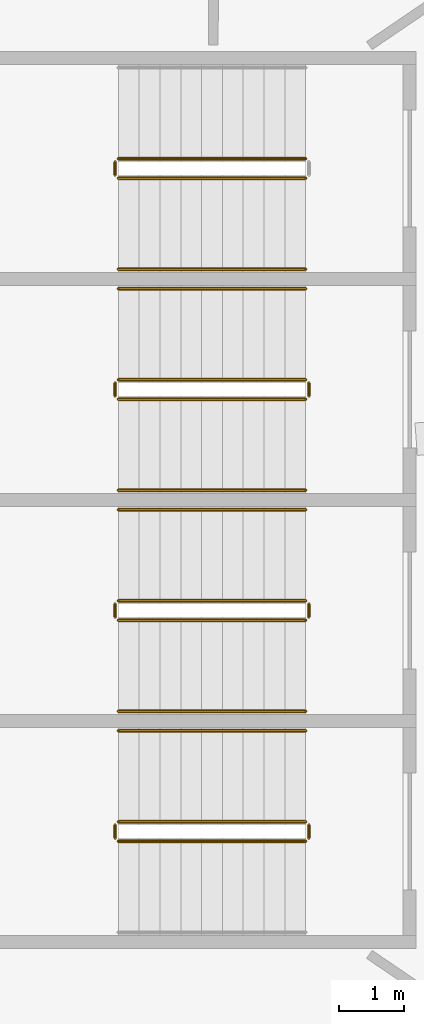
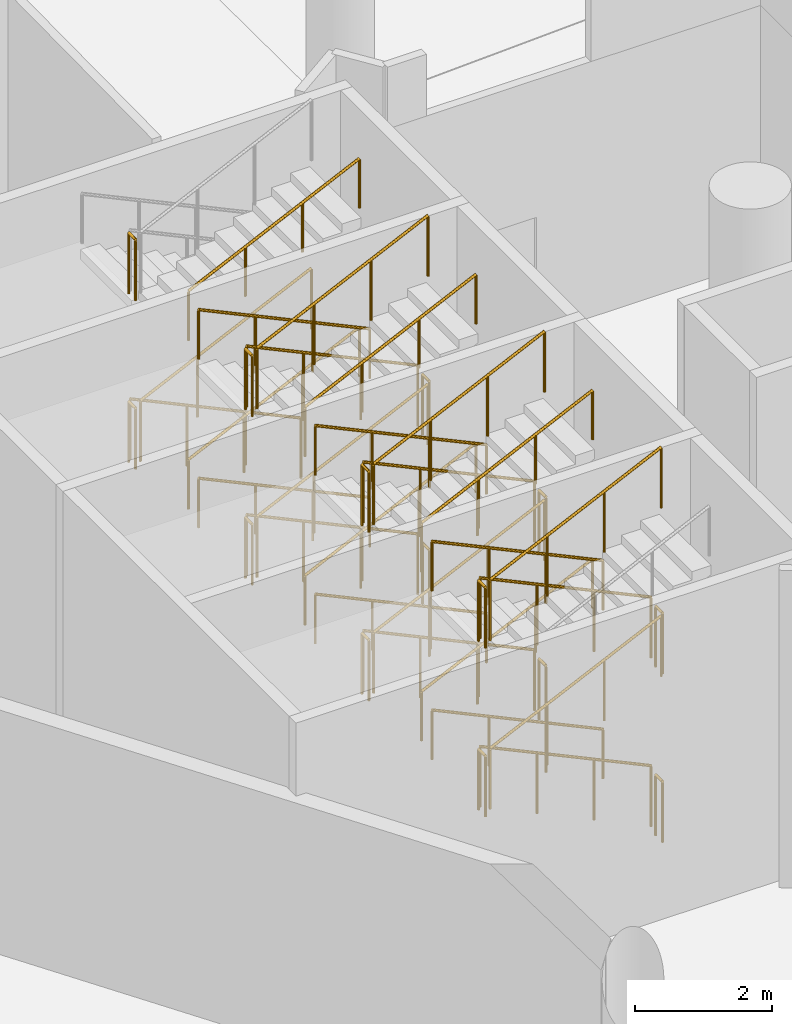
# One storey, part 209 of 249: 40 railings.
"""IFC4 building model written with IfcOpenShell, lengths in metres."""

from ifc_helpers import new_model, si_unit, direction, frame, origin, origin_2d, place, context, subcontext, project, spatial, circle, extrude, material, type_object, element, save


model = new_model("IFC4")

# Units and contexts
model_context = context("Model", 3, precision=1e-05, world=origin(), true_north=direction((0.0, 1.0)))
body_context = subcontext(model_context, "Body", "Model", "MODEL_VIEW")
ifc_project = project(units=[si_unit("LENGTHUNIT", "METRE"), si_unit("AREAUNIT", "SQUARE_METRE"), si_unit("VOLUMEUNIT", "CUBIC_METRE"), si_unit("PLANEANGLEUNIT", "RADIAN"), si_unit("MASSUNIT", "GRAM", prefix="KILO")], contexts=[model_context])

# Site, building, storey
site_placement = place(None, origin())
site = spatial("IfcSite", under=ifc_project, at=site_placement, CompositionType="ELEMENT")
building_placement = place(site_placement, origin())
building = spatial("IfcBuilding", under=site, at=building_placement, Name="Meseta Stadium", CompositionType="ELEMENT")
storey_placement = place(building_placement, frame((0.0, 0.0, 12.0)))
storey = spatial("IfcBuildingStorey", under=building, at=storey_placement, Name="L02", CompositionType="ELEMENT", Elevation=12.0)

# Railings
ifc_material_1 = material(Name="Steel S355", Category="steel")
railing_type_1 = type_object("IfcRailingType", Name="Stair guard 1100", PredefinedType="GUARDRAIL", material=ifc_material_1)
railing_1_placement = place(storey_placement, frame((-90.10009765625, -38.5, 0.14990234375)))
element("IfcRailing", 1, at=railing_1_placement, inside=storey, type_object=railing_type_1, Name="ST73 L02 guard 1", PredefinedType="GUARDRAIL", context=body_context, shape_type="SweptSolid", body=[
    extrude(circle(Radius=0.02392578125, at=origin_2d()), frame((0.0, 0.0, 1.076171875), z_axis=(-0.905440498372, 0.0, 0.424473207528), x_axis=(0.0, -1.0, 0.0)), (0.0, 0.0, 1.0), 3.1806640625),
    extrude(circle(Radius=0.02099609375, at=origin_2d()), origin(), (0.0, 0.0, 1.0), 1.052001953125),
    extrude(circle(Radius=0.02099609375, at=origin_2d()), frame((-0.9599609375, 0.0, 0.449951171875)), (0.0, 0.0, 1.0), 1.052001953125),
    extrude(circle(Radius=0.02099609375, at=origin_2d()), frame((-1.919921875, 0.0, 0.900146484375)), (0.0, 0.0, 1.0), 1.052001953125),
    extrude(circle(Radius=0.02099609375, at=origin_2d()), frame((-2.8798828125, 0.0, 1.35009765625)), (0.0, 0.0, 1.0), 1.052001953125),
])
railing_2_placement = place(storey_placement, frame((-93.030029296875, -38.550048828125, 1.5)))
element("IfcRailing", 2, at=railing_2_placement, inside=storey, type_object=railing_type_1, Name="ST73 L02 guard 2", PredefinedType="GUARDRAIL", context=body_context, shape_type="SweptSolid", body=[
    extrude(circle(Radius=0.02392578125, at=origin_2d()), frame((0.0, 0.0, 1.076171875), z_axis=(0.0, -1.0, 0.0), x_axis=(1.0, 0.0, 0.0)), (0.0, 0.0, 1.0), 0.199951171875),
    extrude(circle(Radius=0.02099609375, at=origin_2d()), origin(), (0.0, 0.0, 1.0), 1.052001953125),
    extrude(circle(Radius=0.02099609375, at=origin_2d()), frame((0.0, -0.199951171875, 0.0)), (0.0, 0.0, 1.0), 1.052001953125),
])
railing_3_placement = place(storey_placement, frame((-92.97998046875, -38.800048828125, 1.64990234375)))
element("IfcRailing", 3, at=railing_3_placement, inside=storey, type_object=railing_type_1, Name="ST73 L02 guard 3", PredefinedType="GUARDRAIL", context=body_context, shape_type="SweptSolid", body=[
    extrude(circle(Radius=0.02392578125, at=origin_2d()), frame((0.0, 0.0, 1.076171875), z_axis=(0.905440498372, 0.0, 0.424473207528), x_axis=(0.0, 1.0, 0.0)), (0.0, 0.0, 1.0), 3.1806640625),
    extrude(circle(Radius=0.02099609375, at=origin_2d()), origin(), (0.0, 0.0, 1.0), 1.052001953125),
    extrude(circle(Radius=0.02099609375, at=origin_2d()), frame((0.9599609375, 0.0, 0.449951171875)), (0.0, 0.0, 1.0), 1.052001953125),
    extrude(circle(Radius=0.02099609375, at=origin_2d()), frame((1.919921875, 0.0, 0.900146484375)), (0.0, 0.0, 1.0), 1.052001953125),
    extrude(circle(Radius=0.02099609375, at=origin_2d()), frame((2.8798828125, 0.0, 1.35009765625)), (0.0, 0.0, 1.0), 1.052001953125),
])
railing_4_placement = place(storey_placement, frame((-93.030029296875, -38.550048828125, 4.5)))
element("IfcRailing", 4, at=railing_4_placement, inside=storey, type_object=railing_type_1, Name="ST73 L02 guard 6", PredefinedType="GUARDRAIL", context=body_context, shape_type="SweptSolid", body=[
    extrude(circle(Radius=0.02392578125, at=origin_2d()), frame((0.0, 0.0, 1.076171875), z_axis=(0.0, -1.0, 0.0), x_axis=(1.0, 0.0, 0.0)), (0.0, 0.0, 1.0), 0.199951171875),
    extrude(circle(Radius=0.02099609375, at=origin_2d()), origin(), (0.0, 0.0, 1.0), 1.052001953125),
    extrude(circle(Radius=0.02099609375, at=origin_2d()), frame((0.0, -0.199951171875, 0.0)), (0.0, 0.0, 1.0), 1.052001953125),
])
railing_5_placement = place(storey_placement, frame((-90.10009765625, -41.89990234375, 0.14990234375)))
element("IfcRailing", 5, at=railing_5_placement, inside=storey, type_object=railing_type_1, Name="ST74 L02 guard 1", PredefinedType="GUARDRAIL", context=body_context, shape_type="SweptSolid", body=[
    extrude(circle(Radius=0.02392578125, at=origin_2d()), frame((0.0, 0.0, 1.076171875), z_axis=(-0.905440498372, 0.0, 0.424473207528), x_axis=(0.0, -1.0, 0.0)), (0.0, 0.0, 1.0), 3.1806640625),
    extrude(circle(Radius=0.02099609375, at=origin_2d()), origin(), (0.0, 0.0, 1.0), 1.052001953125),
    extrude(circle(Radius=0.02099609375, at=origin_2d()), frame((-0.9599609375, 0.0, 0.449951171875)), (0.0, 0.0, 1.0), 1.052001953125),
    extrude(circle(Radius=0.02099609375, at=origin_2d()), frame((-1.919921875, 0.0, 0.900146484375)), (0.0, 0.0, 1.0), 1.052001953125),
    extrude(circle(Radius=0.02099609375, at=origin_2d()), frame((-2.8798828125, 0.0, 1.35009765625)), (0.0, 0.0, 1.0), 1.052001953125),
])
railing_6_placement = place(storey_placement, frame((-93.030029296875, -41.949951171875, 1.5)))
element("IfcRailing", 6, at=railing_6_placement, inside=storey, type_object=railing_type_1, Name="ST74 L02 guard 2", PredefinedType="GUARDRAIL", context=body_context, shape_type="SweptSolid", body=[
    extrude(circle(Radius=0.02392578125, at=origin_2d()), frame((0.0, 0.0, 1.076171875), z_axis=(0.0, -1.0, 0.0), x_axis=(1.0, 0.0, 0.0)), (0.0, 0.0, 1.0), 0.199951171875),
    extrude(circle(Radius=0.02099609375, at=origin_2d()), origin(), (0.0, 0.0, 1.0), 1.052001953125),
    extrude(circle(Radius=0.02099609375, at=origin_2d()), frame((0.0, -0.199951171875, 0.0)), (0.0, 0.0, 1.0), 1.052001953125),
])
railing_7_placement = place(storey_placement, frame((-92.97998046875, -42.199951171875, 1.64990234375)))
element("IfcRailing", 7, at=railing_7_placement, inside=storey, type_object=railing_type_1, Name="ST74 L02 guard 3", PredefinedType="GUARDRAIL", context=body_context, shape_type="SweptSolid", body=[
    extrude(circle(Radius=0.02392578125, at=origin_2d()), frame((0.0, 0.0, 1.076171875), z_axis=(0.905440498372, 0.0, 0.424473207528), x_axis=(0.0, 1.0, 0.0)), (0.0, 0.0, 1.0), 3.1806640625),
    extrude(circle(Radius=0.02099609375, at=origin_2d()), origin(), (0.0, 0.0, 1.0), 1.052001953125),
    extrude(circle(Radius=0.02099609375, at=origin_2d()), frame((0.9599609375, 0.0, 0.449951171875)), (0.0, 0.0, 1.0), 1.052001953125),
    extrude(circle(Radius=0.02099609375, at=origin_2d()), frame((1.919921875, 0.0, 0.900146484375)), (0.0, 0.0, 1.0), 1.052001953125),
    extrude(circle(Radius=0.02099609375, at=origin_2d()), frame((2.8798828125, 0.0, 1.35009765625)), (0.0, 0.0, 1.0), 1.052001953125),
])
railing_8_placement = place(storey_placement, frame((-90.050048828125, -41.949951171875, 3.0)))
element("IfcRailing", 8, at=railing_8_placement, inside=storey, type_object=railing_type_1, Name="ST74 L02 guard 4", PredefinedType="GUARDRAIL", context=body_context, shape_type="SweptSolid", body=[
    extrude(circle(Radius=0.02392578125, at=origin_2d()), frame((0.0, 0.0, 1.076171875), z_axis=(0.0, -1.0, 0.0), x_axis=(1.0, 0.0, 0.0)), (0.0, 0.0, 1.0), 0.199951171875),
    extrude(circle(Radius=0.02099609375, at=origin_2d()), origin(), (0.0, 0.0, 1.0), 1.052001953125),
    extrude(circle(Radius=0.02099609375, at=origin_2d()), frame((0.0, -0.199951171875, 0.0)), (0.0, 0.0, 1.0), 1.052001953125),
])
railing_9_placement = place(storey_placement, frame((-90.10009765625, -41.89990234375, 3.14990234375)))
element("IfcRailing", 9, at=railing_9_placement, inside=storey, type_object=railing_type_1, Name="ST74 L02 guard 5", PredefinedType="GUARDRAIL", context=body_context, shape_type="SweptSolid", body=[
    extrude(circle(Radius=0.02392578125, at=origin_2d()), frame((0.0, 0.0, 1.076171875), z_axis=(-0.905440498372, 0.0, 0.424473207528), x_axis=(0.0, -1.0, 0.0)), (0.0, 0.0, 1.0), 3.1806640625),
    extrude(circle(Radius=0.02099609375, at=origin_2d()), origin(), (0.0, 0.0, 1.0), 1.052001953125),
    extrude(circle(Radius=0.02099609375, at=origin_2d()), frame((-0.9599609375, 0.0, 0.449951171875)), (0.0, 0.0, 1.0), 1.052001953125),
    extrude(circle(Radius=0.02099609375, at=origin_2d()), frame((-1.919921875, 0.0, 0.900146484375)), (0.0, 0.0, 1.0), 1.052001953125),
    extrude(circle(Radius=0.02099609375, at=origin_2d()), frame((-2.8798828125, 0.0, 1.35009765625)), (0.0, 0.0, 1.0), 1.052001953125),
])
railing_10_placement = place(storey_placement, frame((-93.030029296875, -41.949951171875, 4.5)))
element("IfcRailing", 10, at=railing_10_placement, inside=storey, type_object=railing_type_1, Name="ST74 L02 guard 6", PredefinedType="GUARDRAIL", context=body_context, shape_type="SweptSolid", body=[
    extrude(circle(Radius=0.02392578125, at=origin_2d()), frame((0.0, 0.0, 1.076171875), z_axis=(0.0, -1.0, 0.0), x_axis=(1.0, 0.0, 0.0)), (0.0, 0.0, 1.0), 0.199951171875),
    extrude(circle(Radius=0.02099609375, at=origin_2d()), origin(), (0.0, 0.0, 1.0), 1.052001953125),
    extrude(circle(Radius=0.02099609375, at=origin_2d()), frame((0.0, -0.199951171875, 0.0)), (0.0, 0.0, 1.0), 1.052001953125),
])
railing_11_placement = place(storey_placement, frame((-92.97998046875, -42.199951171875, 4.64990234375)))
element("IfcRailing", 11, at=railing_11_placement, inside=storey, type_object=railing_type_1, Name="ST74 L02 guard 7", PredefinedType="GUARDRAIL", context=body_context, shape_type="SweptSolid", body=[
    extrude(circle(Radius=0.02392578125, at=origin_2d()), frame((0.0, 0.0, 1.076171875), z_axis=(0.905440498372, 0.0, 0.424473207528), x_axis=(0.0, 1.0, 0.0)), (0.0, 0.0, 1.0), 3.1806640625),
    extrude(circle(Radius=0.02099609375, at=origin_2d()), origin(), (0.0, 0.0, 1.0), 1.052001953125),
    extrude(circle(Radius=0.02099609375, at=origin_2d()), frame((0.9599609375, 0.0, 0.449951171875)), (0.0, 0.0, 1.0), 1.052001953125),
    extrude(circle(Radius=0.02099609375, at=origin_2d()), frame((1.919921875, 0.0, 0.900146484375)), (0.0, 0.0, 1.0), 1.052001953125),
    extrude(circle(Radius=0.02099609375, at=origin_2d()), frame((2.8798828125, 0.0, 1.35009765625)), (0.0, 0.0, 1.0), 1.052001953125),
])
railing_12_placement = place(storey_placement, frame((-90.050048828125, -41.949951171875, 0.0)))
element("IfcRailing", 12, at=railing_12_placement, inside=storey, type_object=railing_type_1, Name="ST74 L02 guard 8", PredefinedType="GUARDRAIL", context=body_context, shape_type="SweptSolid", body=[
    extrude(circle(Radius=0.02392578125, at=origin_2d()), frame((0.0, 0.0, 1.076171875), z_axis=(0.0, -1.0, 0.0), x_axis=(1.0, 0.0, 0.0)), (0.0, 0.0, 1.0), 0.199951171875),
    extrude(circle(Radius=0.02099609375, at=origin_2d()), origin(), (0.0, 0.0, 1.0), 1.052001953125),
    extrude(circle(Radius=0.02099609375, at=origin_2d()), frame((0.0, -0.199951171875, 0.0)), (0.0, 0.0, 1.0), 1.052001953125),
])
railing_13_placement = place(storey_placement, frame((-90.10009765625, -45.300048828125, 0.14990234375)))
element("IfcRailing", 13, at=railing_13_placement, inside=storey, type_object=railing_type_1, Name="ST75 L02 guard 1", PredefinedType="GUARDRAIL", context=body_context, shape_type="SweptSolid", body=[
    extrude(circle(Radius=0.02392578125, at=origin_2d()), frame((0.0, 0.0, 1.076171875), z_axis=(-0.905440498372, 0.0, 0.424473207528), x_axis=(0.0, -1.0, 0.0)), (0.0, 0.0, 1.0), 3.1806640625),
    extrude(circle(Radius=0.02099609375, at=origin_2d()), origin(), (0.0, 0.0, 1.0), 1.052001953125),
    extrude(circle(Radius=0.02099609375, at=origin_2d()), frame((-0.9599609375, 0.0, 0.449951171875)), (0.0, 0.0, 1.0), 1.052001953125),
    extrude(circle(Radius=0.02099609375, at=origin_2d()), frame((-1.919921875, 0.0, 0.900146484375)), (0.0, 0.0, 1.0), 1.052001953125),
    extrude(circle(Radius=0.02099609375, at=origin_2d()), frame((-2.8798828125, 0.0, 1.35009765625)), (0.0, 0.0, 1.0), 1.052001953125),
])
railing_14_placement = place(storey_placement, frame((-93.030029296875, -45.35009765625, 1.5)))
element("IfcRailing", 14, at=railing_14_placement, inside=storey, type_object=railing_type_1, Name="ST75 L02 guard 2", PredefinedType="GUARDRAIL", context=body_context, shape_type="SweptSolid", body=[
    extrude(circle(Radius=0.02392578125, at=origin_2d()), frame((0.0, 0.0, 1.076171875), z_axis=(0.0, -1.0, 0.0), x_axis=(1.0, 0.0, 0.0)), (0.0, 0.0, 1.0), 0.199951171875),
    extrude(circle(Radius=0.02099609375, at=origin_2d()), origin(), (0.0, 0.0, 1.0), 1.052001953125),
    extrude(circle(Radius=0.02099609375, at=origin_2d()), frame((0.0, -0.199951171875, 0.0)), (0.0, 0.0, 1.0), 1.052001953125),
])
railing_15_placement = place(storey_placement, frame((-92.97998046875, -45.60009765625, 1.64990234375)))
element("IfcRailing", 15, at=railing_15_placement, inside=storey, type_object=railing_type_1, Name="ST75 L02 guard 3", PredefinedType="GUARDRAIL", context=body_context, shape_type="SweptSolid", body=[
    extrude(circle(Radius=0.02392578125, at=origin_2d()), frame((0.0, 0.0, 1.076171875), z_axis=(0.905440498372, 0.0, 0.424473207528), x_axis=(0.0, 1.0, 0.0)), (0.0, 0.0, 1.0), 3.1806640625),
    extrude(circle(Radius=0.02099609375, at=origin_2d()), origin(), (0.0, 0.0, 1.0), 1.052001953125),
    extrude(circle(Radius=0.02099609375, at=origin_2d()), frame((0.9599609375, 0.0, 0.449951171875)), (0.0, 0.0, 1.0), 1.052001953125),
    extrude(circle(Radius=0.02099609375, at=origin_2d()), frame((1.919921875, 0.0, 0.900146484375)), (0.0, 0.0, 1.0), 1.052001953125),
    extrude(circle(Radius=0.02099609375, at=origin_2d()), frame((2.8798828125, 0.0, 1.35009765625)), (0.0, 0.0, 1.0), 1.052001953125),
])
railing_16_placement = place(storey_placement, frame((-90.050048828125, -45.35009765625, 3.0)))
element("IfcRailing", 16, at=railing_16_placement, inside=storey, type_object=railing_type_1, Name="ST75 L02 guard 4", PredefinedType="GUARDRAIL", context=body_context, shape_type="SweptSolid", body=[
    extrude(circle(Radius=0.02392578125, at=origin_2d()), frame((0.0, 0.0, 1.076171875), z_axis=(0.0, -1.0, 0.0), x_axis=(1.0, 0.0, 0.0)), (0.0, 0.0, 1.0), 0.199951171875),
    extrude(circle(Radius=0.02099609375, at=origin_2d()), origin(), (0.0, 0.0, 1.0), 1.052001953125),
    extrude(circle(Radius=0.02099609375, at=origin_2d()), frame((0.0, -0.199951171875, 0.0)), (0.0, 0.0, 1.0), 1.052001953125),
])
railing_17_placement = place(storey_placement, frame((-90.10009765625, -45.300048828125, 3.14990234375)))
element("IfcRailing", 17, at=railing_17_placement, inside=storey, type_object=railing_type_1, Name="ST75 L02 guard 5", PredefinedType="GUARDRAIL", context=body_context, shape_type="SweptSolid", body=[
    extrude(circle(Radius=0.02392578125, at=origin_2d()), frame((0.0, 0.0, 1.076171875), z_axis=(-0.905440498372, 0.0, 0.424473207528), x_axis=(0.0, -1.0, 0.0)), (0.0, 0.0, 1.0), 3.1806640625),
    extrude(circle(Radius=0.02099609375, at=origin_2d()), origin(), (0.0, 0.0, 1.0), 1.052001953125),
    extrude(circle(Radius=0.02099609375, at=origin_2d()), frame((-0.9599609375, 0.0, 0.449951171875)), (0.0, 0.0, 1.0), 1.052001953125),
    extrude(circle(Radius=0.02099609375, at=origin_2d()), frame((-1.919921875, 0.0, 0.900146484375)), (0.0, 0.0, 1.0), 1.052001953125),
    extrude(circle(Radius=0.02099609375, at=origin_2d()), frame((-2.8798828125, 0.0, 1.35009765625)), (0.0, 0.0, 1.0), 1.052001953125),
])
railing_18_placement = place(storey_placement, frame((-93.030029296875, -45.35009765625, 4.5)))
element("IfcRailing", 18, at=railing_18_placement, inside=storey, type_object=railing_type_1, Name="ST75 L02 guard 6", PredefinedType="GUARDRAIL", context=body_context, shape_type="SweptSolid", body=[
    extrude(circle(Radius=0.02392578125, at=origin_2d()), frame((0.0, 0.0, 1.076171875), z_axis=(0.0, -1.0, 0.0), x_axis=(1.0, 0.0, 0.0)), (0.0, 0.0, 1.0), 0.199951171875),
    extrude(circle(Radius=0.02099609375, at=origin_2d()), origin(), (0.0, 0.0, 1.0), 1.052001953125),
    extrude(circle(Radius=0.02099609375, at=origin_2d()), frame((0.0, -0.199951171875, 0.0)), (0.0, 0.0, 1.0), 1.052001953125),
])
railing_19_placement = place(storey_placement, frame((-92.97998046875, -45.60009765625, 4.64990234375)))
element("IfcRailing", 19, at=railing_19_placement, inside=storey, type_object=railing_type_1, Name="ST75 L02 guard 7", PredefinedType="GUARDRAIL", context=body_context, shape_type="SweptSolid", body=[
    extrude(circle(Radius=0.02392578125, at=origin_2d()), frame((0.0, 0.0, 1.076171875), z_axis=(0.905440498372, 0.0, 0.424473207528), x_axis=(0.0, 1.0, 0.0)), (0.0, 0.0, 1.0), 3.1806640625),
    extrude(circle(Radius=0.02099609375, at=origin_2d()), origin(), (0.0, 0.0, 1.0), 1.052001953125),
    extrude(circle(Radius=0.02099609375, at=origin_2d()), frame((0.9599609375, 0.0, 0.449951171875)), (0.0, 0.0, 1.0), 1.052001953125),
    extrude(circle(Radius=0.02099609375, at=origin_2d()), frame((1.919921875, 0.0, 0.900146484375)), (0.0, 0.0, 1.0), 1.052001953125),
    extrude(circle(Radius=0.02099609375, at=origin_2d()), frame((2.8798828125, 0.0, 1.35009765625)), (0.0, 0.0, 1.0), 1.052001953125),
])
railing_20_placement = place(storey_placement, frame((-90.050048828125, -45.35009765625, 0.0)))
element("IfcRailing", 20, at=railing_20_placement, inside=storey, type_object=railing_type_1, Name="ST75 L02 guard 8", PredefinedType="GUARDRAIL", context=body_context, shape_type="SweptSolid", body=[
    extrude(circle(Radius=0.02392578125, at=origin_2d()), frame((0.0, 0.0, 1.076171875), z_axis=(0.0, -1.0, 0.0), x_axis=(1.0, 0.0, 0.0)), (0.0, 0.0, 1.0), 0.199951171875),
    extrude(circle(Radius=0.02099609375, at=origin_2d()), origin(), (0.0, 0.0, 1.0), 1.052001953125),
    extrude(circle(Radius=0.02099609375, at=origin_2d()), frame((0.0, -0.199951171875, 0.0)), (0.0, 0.0, 1.0), 1.052001953125),
])
railing_21_placement = place(storey_placement, frame((-90.10009765625, -48.699951171875, 0.14990234375)))
element("IfcRailing", 21, at=railing_21_placement, inside=storey, type_object=railing_type_1, Name="ST76 L02 guard 1", PredefinedType="GUARDRAIL", context=body_context, shape_type="SweptSolid", body=[
    extrude(circle(Radius=0.02392578125, at=origin_2d()), frame((0.0, 0.0, 1.076171875), z_axis=(-0.905440498372, 0.0, 0.424473207528), x_axis=(0.0, -1.0, 0.0)), (0.0, 0.0, 1.0), 3.1806640625),
    extrude(circle(Radius=0.02099609375, at=origin_2d()), origin(), (0.0, 0.0, 1.0), 1.052001953125),
    extrude(circle(Radius=0.02099609375, at=origin_2d()), frame((-0.9599609375, 0.0, 0.449951171875)), (0.0, 0.0, 1.0), 1.052001953125),
    extrude(circle(Radius=0.02099609375, at=origin_2d()), frame((-1.919921875, 0.0, 0.900146484375)), (0.0, 0.0, 1.0), 1.052001953125),
    extrude(circle(Radius=0.02099609375, at=origin_2d()), frame((-2.8798828125, 0.0, 1.35009765625)), (0.0, 0.0, 1.0), 1.052001953125),
])
railing_22_placement = place(storey_placement, frame((-93.030029296875, -48.75, 1.5)))
element("IfcRailing", 22, at=railing_22_placement, inside=storey, type_object=railing_type_1, Name="ST76 L02 guard 2", PredefinedType="GUARDRAIL", context=body_context, shape_type="SweptSolid", body=[
    extrude(circle(Radius=0.02392578125, at=origin_2d()), frame((0.0, 0.0, 1.076171875), z_axis=(0.0, -1.0, 0.0), x_axis=(1.0, 0.0, 0.0)), (0.0, 0.0, 1.0), 0.199951171875),
    extrude(circle(Radius=0.02099609375, at=origin_2d()), origin(), (0.0, 0.0, 1.0), 1.052001953125),
    extrude(circle(Radius=0.02099609375, at=origin_2d()), frame((0.0, -0.199951171875, 0.0)), (0.0, 0.0, 1.0), 1.052001953125),
])
railing_23_placement = place(storey_placement, frame((-92.97998046875, -49.0, 1.64990234375)))
element("IfcRailing", 23, at=railing_23_placement, inside=storey, type_object=railing_type_1, Name="ST76 L02 guard 3", PredefinedType="GUARDRAIL", context=body_context, shape_type="SweptSolid", body=[
    extrude(circle(Radius=0.02392578125, at=origin_2d()), frame((0.0, 0.0, 1.076171875), z_axis=(0.905440498372, 0.0, 0.424473207528), x_axis=(0.0, 1.0, 0.0)), (0.0, 0.0, 1.0), 3.1806640625),
    extrude(circle(Radius=0.02099609375, at=origin_2d()), origin(), (0.0, 0.0, 1.0), 1.052001953125),
    extrude(circle(Radius=0.02099609375, at=origin_2d()), frame((0.9599609375, 0.0, 0.449951171875)), (0.0, 0.0, 1.0), 1.052001953125),
    extrude(circle(Radius=0.02099609375, at=origin_2d()), frame((1.919921875, 0.0, 0.900146484375)), (0.0, 0.0, 1.0), 1.052001953125),
    extrude(circle(Radius=0.02099609375, at=origin_2d()), frame((2.8798828125, 0.0, 1.35009765625)), (0.0, 0.0, 1.0), 1.052001953125),
])
railing_24_placement = place(storey_placement, frame((-90.050048828125, -48.75, 3.0)))
element("IfcRailing", 24, at=railing_24_placement, inside=storey, type_object=railing_type_1, Name="ST76 L02 guard 4", PredefinedType="GUARDRAIL", context=body_context, shape_type="SweptSolid", body=[
    extrude(circle(Radius=0.02392578125, at=origin_2d()), frame((0.0, 0.0, 1.076171875), z_axis=(0.0, -1.0, 0.0), x_axis=(1.0, 0.0, 0.0)), (0.0, 0.0, 1.0), 0.199951171875),
    extrude(circle(Radius=0.02099609375, at=origin_2d()), origin(), (0.0, 0.0, 1.0), 1.052001953125),
    extrude(circle(Radius=0.02099609375, at=origin_2d()), frame((0.0, -0.199951171875, 0.0)), (0.0, 0.0, 1.0), 1.052001953125),
])
railing_25_placement = place(storey_placement, frame((-90.10009765625, -48.699951171875, 3.14990234375)))
element("IfcRailing", 25, at=railing_25_placement, inside=storey, type_object=railing_type_1, Name="ST76 L02 guard 5", PredefinedType="GUARDRAIL", context=body_context, shape_type="SweptSolid", body=[
    extrude(circle(Radius=0.02392578125, at=origin_2d()), frame((0.0, 0.0, 1.076171875), z_axis=(-0.905440498372, 0.0, 0.424473207528), x_axis=(0.0, -1.0, 0.0)), (0.0, 0.0, 1.0), 3.1806640625),
    extrude(circle(Radius=0.02099609375, at=origin_2d()), origin(), (0.0, 0.0, 1.0), 1.052001953125),
    extrude(circle(Radius=0.02099609375, at=origin_2d()), frame((-0.9599609375, 0.0, 0.449951171875)), (0.0, 0.0, 1.0), 1.052001953125),
    extrude(circle(Radius=0.02099609375, at=origin_2d()), frame((-1.919921875, 0.0, 0.900146484375)), (0.0, 0.0, 1.0), 1.052001953125),
    extrude(circle(Radius=0.02099609375, at=origin_2d()), frame((-2.8798828125, 0.0, 1.35009765625)), (0.0, 0.0, 1.0), 1.052001953125),
])
railing_26_placement = place(storey_placement, frame((-93.030029296875, -48.75, 4.5)))
element("IfcRailing", 26, at=railing_26_placement, inside=storey, type_object=railing_type_1, Name="ST76 L02 guard 6", PredefinedType="GUARDRAIL", context=body_context, shape_type="SweptSolid", body=[
    extrude(circle(Radius=0.02392578125, at=origin_2d()), frame((0.0, 0.0, 1.076171875), z_axis=(0.0, -1.0, 0.0), x_axis=(1.0, 0.0, 0.0)), (0.0, 0.0, 1.0), 0.199951171875),
    extrude(circle(Radius=0.02099609375, at=origin_2d()), origin(), (0.0, 0.0, 1.0), 1.052001953125),
    extrude(circle(Radius=0.02099609375, at=origin_2d()), frame((0.0, -0.199951171875, 0.0)), (0.0, 0.0, 1.0), 1.052001953125),
])
railing_27_placement = place(storey_placement, frame((-92.97998046875, -49.0, 4.64990234375)))
element("IfcRailing", 27, at=railing_27_placement, inside=storey, type_object=railing_type_1, Name="ST76 L02 guard 7", PredefinedType="GUARDRAIL", context=body_context, shape_type="SweptSolid", body=[
    extrude(circle(Radius=0.02392578125, at=origin_2d()), frame((0.0, 0.0, 1.076171875), z_axis=(0.905440498372, 0.0, 0.424473207528), x_axis=(0.0, 1.0, 0.0)), (0.0, 0.0, 1.0), 3.1806640625),
    extrude(circle(Radius=0.02099609375, at=origin_2d()), origin(), (0.0, 0.0, 1.0), 1.052001953125),
    extrude(circle(Radius=0.02099609375, at=origin_2d()), frame((0.9599609375, 0.0, 0.449951171875)), (0.0, 0.0, 1.0), 1.052001953125),
    extrude(circle(Radius=0.02099609375, at=origin_2d()), frame((1.919921875, 0.0, 0.900146484375)), (0.0, 0.0, 1.0), 1.052001953125),
    extrude(circle(Radius=0.02099609375, at=origin_2d()), frame((2.8798828125, 0.0, 1.35009765625)), (0.0, 0.0, 1.0), 1.052001953125),
])
railing_28_placement = place(storey_placement, frame((-90.050048828125, -48.75, 0.0)))
element("IfcRailing", 28, at=railing_28_placement, inside=storey, type_object=railing_type_1, Name="ST76 L02 guard 8", PredefinedType="GUARDRAIL", context=body_context, shape_type="SweptSolid", body=[
    extrude(circle(Radius=0.02392578125, at=origin_2d()), frame((0.0, 0.0, 1.076171875), z_axis=(0.0, -1.0, 0.0), x_axis=(1.0, 0.0, 0.0)), (0.0, 0.0, 1.0), 0.199951171875),
    extrude(circle(Radius=0.02099609375, at=origin_2d()), origin(), (0.0, 0.0, 1.0), 1.052001953125),
    extrude(circle(Radius=0.02099609375, at=origin_2d()), frame((0.0, -0.199951171875, 0.0)), (0.0, 0.0, 1.0), 1.052001953125),
])
ifc_material_2 = material(Name="Steel S355", Category="steel")
railing_type_2 = type_object("IfcRailingType", Name="Stair handrail 900", PredefinedType="HANDRAIL", material=ifc_material_2)
for number, where, name in (
    (29, (-92.97998046875, -40.199951171875, 1.64990234375), "ST73 L02 handrail 2"),
    (30, (-92.97998046875, -40.199951171875, 4.64990234375), "ST73 L02 handrail 4"),
):
    element("IfcRailing", number, at=place(storey_placement, frame(where)), inside=storey, type_object=railing_type_2, Name=name, PredefinedType="HANDRAIL", context=body_context, shape_type="SweptSolid", body=[
        extrude(circle(Radius=0.02392578125, at=origin_2d()), frame((0.0, 0.0, 0.8759765625), z_axis=(0.905440498372, 0.0, 0.424473207528), x_axis=(0.0, 1.0, 0.0)), (0.0, 0.0, 1.0), 3.1806640625),
        extrude(circle(Radius=0.02099609375, at=origin_2d()), origin(), (0.0, 0.0, 1.0), 0.851806640625),
        extrude(circle(Radius=0.02099609375, at=origin_2d()), frame((0.9599609375, 0.0, 0.449951171875)), (0.0, 0.0, 1.0), 0.851806640625),
        extrude(circle(Radius=0.02099609375, at=origin_2d()), frame((1.919921875, 0.0, 0.900146484375)), (0.0, 0.0, 1.0), 0.851806640625),
        extrude(circle(Radius=0.02099609375, at=origin_2d()), frame((2.8798828125, 0.0, 1.35009765625)), (0.0, 0.0, 1.0), 0.851806640625),
    ])
railing_29_placement = place(storey_placement, frame((-90.10009765625, -40.5, 0.14990234375)))
element("IfcRailing", 31, at=railing_29_placement, inside=storey, type_object=railing_type_2, Name="ST74 L02 handrail 1", PredefinedType="HANDRAIL", context=body_context, shape_type="SweptSolid", body=[
    extrude(circle(Radius=0.02392578125, at=origin_2d()), frame((0.0, 0.0, 0.8759765625), z_axis=(-0.905440498372, 0.0, 0.424473207528), x_axis=(0.0, -1.0, 0.0)), (0.0, 0.0, 1.0), 3.1806640625),
    extrude(circle(Radius=0.02099609375, at=origin_2d()), origin(), (0.0, 0.0, 1.0), 0.851806640625),
    extrude(circle(Radius=0.02099609375, at=origin_2d()), frame((-0.9599609375, 0.0, 0.449951171875)), (0.0, 0.0, 1.0), 0.851806640625),
    extrude(circle(Radius=0.02099609375, at=origin_2d()), frame((-1.919921875, 0.0, 0.900146484375)), (0.0, 0.0, 1.0), 0.851806640625),
    extrude(circle(Radius=0.02099609375, at=origin_2d()), frame((-2.8798828125, 0.0, 1.35009765625)), (0.0, 0.0, 1.0), 0.851806640625),
])
railing_30_placement = place(storey_placement, frame((-92.97998046875, -43.60009765625, 1.64990234375)))
element("IfcRailing", 32, at=railing_30_placement, inside=storey, type_object=railing_type_2, Name="ST74 L02 handrail 2", PredefinedType="HANDRAIL", context=body_context, shape_type="SweptSolid", body=[
    extrude(circle(Radius=0.02392578125, at=origin_2d()), frame((0.0, 0.0, 0.8759765625), z_axis=(0.905440498372, 0.0, 0.424473207528), x_axis=(0.0, 1.0, 0.0)), (0.0, 0.0, 1.0), 3.1806640625),
    extrude(circle(Radius=0.02099609375, at=origin_2d()), origin(), (0.0, 0.0, 1.0), 0.851806640625),
    extrude(circle(Radius=0.02099609375, at=origin_2d()), frame((0.9599609375, 0.0, 0.449951171875)), (0.0, 0.0, 1.0), 0.851806640625),
    extrude(circle(Radius=0.02099609375, at=origin_2d()), frame((1.919921875, 0.0, 0.900146484375)), (0.0, 0.0, 1.0), 0.851806640625),
    extrude(circle(Radius=0.02099609375, at=origin_2d()), frame((2.8798828125, 0.0, 1.35009765625)), (0.0, 0.0, 1.0), 0.851806640625),
])
railing_31_placement = place(storey_placement, frame((-90.10009765625, -40.5, 3.14990234375)))
element("IfcRailing", 33, at=railing_31_placement, inside=storey, type_object=railing_type_2, Name="ST74 L02 handrail 3", PredefinedType="HANDRAIL", context=body_context, shape_type="SweptSolid", body=[
    extrude(circle(Radius=0.02392578125, at=origin_2d()), frame((0.0, 0.0, 0.8759765625), z_axis=(-0.905440498372, 0.0, 0.424473207528), x_axis=(0.0, -1.0, 0.0)), (0.0, 0.0, 1.0), 3.1806640625),
    extrude(circle(Radius=0.02099609375, at=origin_2d()), origin(), (0.0, 0.0, 1.0), 0.851806640625),
    extrude(circle(Radius=0.02099609375, at=origin_2d()), frame((-0.9599609375, 0.0, 0.449951171875)), (0.0, 0.0, 1.0), 0.851806640625),
    extrude(circle(Radius=0.02099609375, at=origin_2d()), frame((-1.919921875, 0.0, 0.900146484375)), (0.0, 0.0, 1.0), 0.851806640625),
    extrude(circle(Radius=0.02099609375, at=origin_2d()), frame((-2.8798828125, 0.0, 1.35009765625)), (0.0, 0.0, 1.0), 0.851806640625),
])
railing_32_placement = place(storey_placement, frame((-92.97998046875, -43.60009765625, 4.64990234375)))
element("IfcRailing", 34, at=railing_32_placement, inside=storey, type_object=railing_type_2, Name="ST74 L02 handrail 4", PredefinedType="HANDRAIL", context=body_context, shape_type="SweptSolid", body=[
    extrude(circle(Radius=0.02392578125, at=origin_2d()), frame((0.0, 0.0, 0.8759765625), z_axis=(0.905440498372, 0.0, 0.424473207528), x_axis=(0.0, 1.0, 0.0)), (0.0, 0.0, 1.0), 3.1806640625),
    extrude(circle(Radius=0.02099609375, at=origin_2d()), origin(), (0.0, 0.0, 1.0), 0.851806640625),
    extrude(circle(Radius=0.02099609375, at=origin_2d()), frame((0.9599609375, 0.0, 0.449951171875)), (0.0, 0.0, 1.0), 0.851806640625),
    extrude(circle(Radius=0.02099609375, at=origin_2d()), frame((1.919921875, 0.0, 0.900146484375)), (0.0, 0.0, 1.0), 0.851806640625),
    extrude(circle(Radius=0.02099609375, at=origin_2d()), frame((2.8798828125, 0.0, 1.35009765625)), (0.0, 0.0, 1.0), 0.851806640625),
])
railing_33_placement = place(storey_placement, frame((-90.10009765625, -43.89990234375, 0.14990234375)))
element("IfcRailing", 35, at=railing_33_placement, inside=storey, type_object=railing_type_2, Name="ST75 L02 handrail 1", PredefinedType="HANDRAIL", context=body_context, shape_type="SweptSolid", body=[
    extrude(circle(Radius=0.02392578125, at=origin_2d()), frame((0.0, 0.0, 0.8759765625), z_axis=(-0.905440498372, 0.0, 0.424473207528), x_axis=(0.0, -1.0, 0.0)), (0.0, 0.0, 1.0), 3.1806640625),
    extrude(circle(Radius=0.02099609375, at=origin_2d()), origin(), (0.0, 0.0, 1.0), 0.851806640625),
    extrude(circle(Radius=0.02099609375, at=origin_2d()), frame((-0.9599609375, 0.0, 0.449951171875)), (0.0, 0.0, 1.0), 0.851806640625),
    extrude(circle(Radius=0.02099609375, at=origin_2d()), frame((-1.919921875, 0.0, 0.900146484375)), (0.0, 0.0, 1.0), 0.851806640625),
    extrude(circle(Radius=0.02099609375, at=origin_2d()), frame((-2.8798828125, 0.0, 1.35009765625)), (0.0, 0.0, 1.0), 0.851806640625),
])
railing_34_placement = place(storey_placement, frame((-92.97998046875, -47.0, 1.64990234375)))
element("IfcRailing", 36, at=railing_34_placement, inside=storey, type_object=railing_type_2, Name="ST75 L02 handrail 2", PredefinedType="HANDRAIL", context=body_context, shape_type="SweptSolid", body=[
    extrude(circle(Radius=0.02392578125, at=origin_2d()), frame((0.0, 0.0, 0.8759765625), z_axis=(0.905440498372, 0.0, 0.424473207528), x_axis=(0.0, 1.0, 0.0)), (0.0, 0.0, 1.0), 3.1806640625),
    extrude(circle(Radius=0.02099609375, at=origin_2d()), origin(), (0.0, 0.0, 1.0), 0.851806640625),
    extrude(circle(Radius=0.02099609375, at=origin_2d()), frame((0.9599609375, 0.0, 0.449951171875)), (0.0, 0.0, 1.0), 0.851806640625),
    extrude(circle(Radius=0.02099609375, at=origin_2d()), frame((1.919921875, 0.0, 0.900146484375)), (0.0, 0.0, 1.0), 0.851806640625),
    extrude(circle(Radius=0.02099609375, at=origin_2d()), frame((2.8798828125, 0.0, 1.35009765625)), (0.0, 0.0, 1.0), 0.851806640625),
])
railing_35_placement = place(storey_placement, frame((-90.10009765625, -43.89990234375, 3.14990234375)))
element("IfcRailing", 37, at=railing_35_placement, inside=storey, type_object=railing_type_2, Name="ST75 L02 handrail 3", PredefinedType="HANDRAIL", context=body_context, shape_type="SweptSolid", body=[
    extrude(circle(Radius=0.02392578125, at=origin_2d()), frame((0.0, 0.0, 0.8759765625), z_axis=(-0.905440498372, 0.0, 0.424473207528), x_axis=(0.0, -1.0, 0.0)), (0.0, 0.0, 1.0), 3.1806640625),
    extrude(circle(Radius=0.02099609375, at=origin_2d()), origin(), (0.0, 0.0, 1.0), 0.851806640625),
    extrude(circle(Radius=0.02099609375, at=origin_2d()), frame((-0.9599609375, 0.0, 0.449951171875)), (0.0, 0.0, 1.0), 0.851806640625),
    extrude(circle(Radius=0.02099609375, at=origin_2d()), frame((-1.919921875, 0.0, 0.900146484375)), (0.0, 0.0, 1.0), 0.851806640625),
    extrude(circle(Radius=0.02099609375, at=origin_2d()), frame((-2.8798828125, 0.0, 1.35009765625)), (0.0, 0.0, 1.0), 0.851806640625),
])
railing_36_placement = place(storey_placement, frame((-92.97998046875, -47.0, 4.64990234375)))
element("IfcRailing", 38, at=railing_36_placement, inside=storey, type_object=railing_type_2, Name="ST75 L02 handrail 4", PredefinedType="HANDRAIL", context=body_context, shape_type="SweptSolid", body=[
    extrude(circle(Radius=0.02392578125, at=origin_2d()), frame((0.0, 0.0, 0.8759765625), z_axis=(0.905440498372, 0.0, 0.424473207528), x_axis=(0.0, 1.0, 0.0)), (0.0, 0.0, 1.0), 3.1806640625),
    extrude(circle(Radius=0.02099609375, at=origin_2d()), origin(), (0.0, 0.0, 1.0), 0.851806640625),
    extrude(circle(Radius=0.02099609375, at=origin_2d()), frame((0.9599609375, 0.0, 0.449951171875)), (0.0, 0.0, 1.0), 0.851806640625),
    extrude(circle(Radius=0.02099609375, at=origin_2d()), frame((1.919921875, 0.0, 0.900146484375)), (0.0, 0.0, 1.0), 0.851806640625),
    extrude(circle(Radius=0.02099609375, at=origin_2d()), frame((2.8798828125, 0.0, 1.35009765625)), (0.0, 0.0, 1.0), 0.851806640625),
])
for number, where, name in (
    (39, (-90.10009765625, -47.300048828125, 0.14990234375), "ST76 L02 handrail 1"),
    (40, (-90.10009765625, -47.300048828125, 3.14990234375), "ST76 L02 handrail 3"),
):
    element("IfcRailing", number, at=place(storey_placement, frame(where)), inside=storey, type_object=railing_type_2, Name=name, PredefinedType="HANDRAIL", context=body_context, shape_type="SweptSolid", body=[
        extrude(circle(Radius=0.02392578125, at=origin_2d()), frame((0.0, 0.0, 0.8759765625), z_axis=(-0.905440498372, 0.0, 0.424473207528), x_axis=(0.0, -1.0, 0.0)), (0.0, 0.0, 1.0), 3.1806640625),
        extrude(circle(Radius=0.02099609375, at=origin_2d()), origin(), (0.0, 0.0, 1.0), 0.851806640625),
        extrude(circle(Radius=0.02099609375, at=origin_2d()), frame((-0.9599609375, 0.0, 0.449951171875)), (0.0, 0.0, 1.0), 0.851806640625),
        extrude(circle(Radius=0.02099609375, at=origin_2d()), frame((-1.919921875, 0.0, 0.900146484375)), (0.0, 0.0, 1.0), 0.851806640625),
        extrude(circle(Radius=0.02099609375, at=origin_2d()), frame((-2.8798828125, 0.0, 1.35009765625)), (0.0, 0.0, 1.0), 0.851806640625),
    ])

save(model, "model.ifc")
